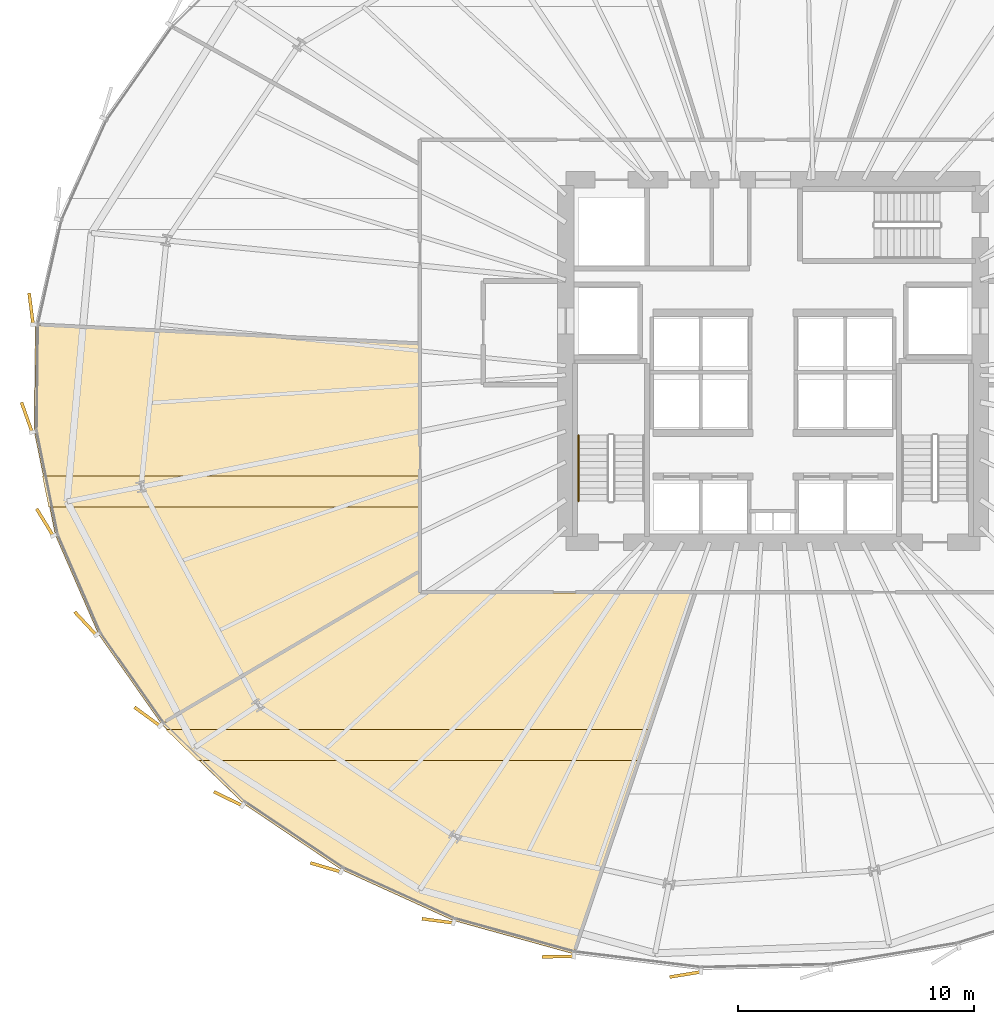
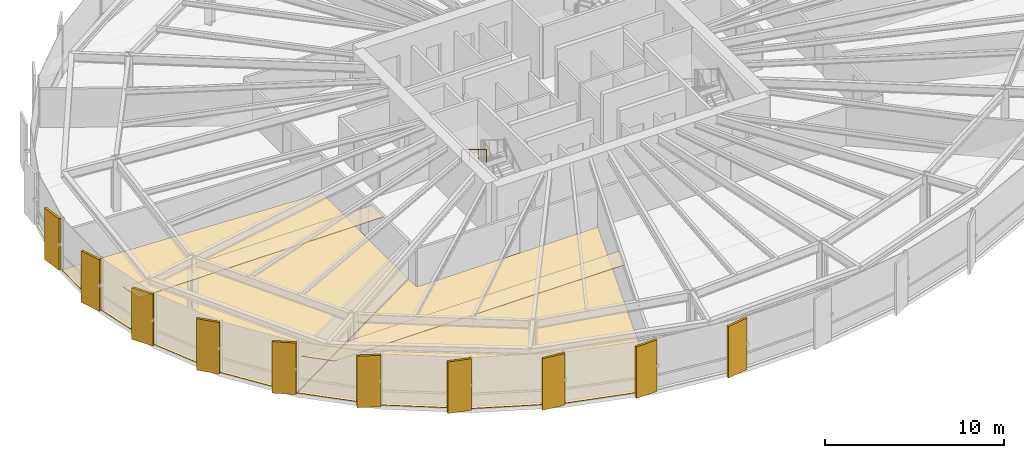
# One storey, part 34 of 38: 14 coverings, 1 railing.
"""IFC4 building model written with IfcOpenShell, lengths in metres."""

import ifcopenshell
import ifcopenshell.guid

model = None  # the IFC model being written
_history = None  # IfcOwnerHistory: only IFC2X3 demands one
_inside = {}  # id of a spatial element -> (the spatial element, [elements in it])
_under = {}  # id of a project, library or spatial element -> (it, [spatial elements below it])
_declared = {}  # id of a project -> (the project, [libraries it declares])
_typed = {}  # id of a type object -> (the type object, [elements of that type])
_made_of = {}  # id of a material, layer set ... -> (it, [elements and type objects made of it])


def new_model(schema):
    """Start an empty IFC model of exactly this schema.

    Asked for "IFC4X3", IfcOpenShell would pick the latest addendum, in which some entities
    have other attributes; the version numbers below select the first issue.
    IFC2X3 requires an IfcOwnerHistory on every rooted entity: one is made here for all.
    """
    global model, _history
    if schema == "IFC4X3":
        model = ifcopenshell.file(schema_version=(4, 3, 0, 0))
    else:
        model = ifcopenshell.file(schema=schema)
    _inside.clear()
    _under.clear()
    _declared.clear()
    _typed.clear()
    _made_of.clear()
    _history = None
    if model.schema == "IFC2X3":
        org = make("IfcOrganization", Name="unknown")
        user = make(
            "IfcPersonAndOrganization",
            ThePerson=make("IfcPerson", FamilyName="unknown"),
            TheOrganization=org,
        )
        app = make(
            "IfcApplication",
            ApplicationDeveloper=org,
            Version="unknown",
            ApplicationFullName="unknown",
            ApplicationIdentifier="unknown",
        )
        _history = make(
            "IfcOwnerHistory",
            OwningUser=user,
            OwningApplication=app,
            ChangeAction="ADDED",
            CreationDate=0,
        )
    return model


def make(cls, **values):
    """One entity of the class cls with the attributes given. An attribute that is None is left unset."""
    return model.create_entity(
        cls, **{name: value for name, value in values.items() if value is not None}
    )


def rooted(cls, **values):
    """An entity with a GlobalId (a new one), such as an element, a storey or a relation."""
    return make(cls, GlobalId=ifcopenshell.guid.new(), OwnerHistory=_history, **values)


def si_unit(unit_type, name, prefix=None):
    """IfcSIUnit, for example si_unit("LENGTHUNIT", "METRE", prefix="MILLI")."""
    return make("IfcSIUnit", UnitType=unit_type, Prefix=prefix, Name=name)


def assignment(units):
    """IfcUnitAssignment: the units of a project."""
    return None if units is None else make("IfcUnitAssignment", Units=units)


def point(xyz):
    """IfcCartesianPoint."""
    return None if xyz is None else make("IfcCartesianPoint", Coordinates=xyz)


def direction(xyz):
    """IfcDirection."""
    return None if xyz is None else make("IfcDirection", DirectionRatios=xyz)


def frame(location, z_axis=None, x_axis=None):
    """IfcAxis2Placement3D, a coordinate frame: its origin and axes. An axis left out is left unset."""
    return make(
        "IfcAxis2Placement3D",
        Location=point(location),
        Axis=direction(z_axis),
        RefDirection=direction(x_axis),
    )


def frame_2d(location, x_axis=None):
    """IfcAxis2Placement2D, a coordinate frame in the plane: its origin and x axis."""
    return make(
        "IfcAxis2Placement2D", Location=point(location), RefDirection=direction(x_axis)
    )


def origin():
    """The frame at (0, 0, 0) with its axes left unset."""
    return frame((0.0, 0.0, 0.0))


def origin_2d():
    """The frame at (0, 0) in the plane with its x axis left unset."""
    return frame_2d((0.0, 0.0))


def place(relative_to, where):
    """IfcLocalPlacement: puts the frame where relative to a parent placement (None: the world)."""
    return make(
        "IfcLocalPlacement", PlacementRelTo=relative_to, RelativePlacement=where
    )


def context(
    kind, dimensions, precision=None, world=None, true_north=None, identifier=None
):
    """IfcGeometricRepresentationContext, for example the 3D "Model" context."""
    return make(
        "IfcGeometricRepresentationContext",
        ContextIdentifier=identifier,
        ContextType=kind,
        CoordinateSpaceDimension=dimensions,
        Precision=precision,
        WorldCoordinateSystem=world,
        TrueNorth=true_north,
    )


def subcontext(parent, identifier, kind, view, scale=None):
    """IfcGeometricRepresentationSubContext, for example "Body" below "Model"."""
    return make(
        "IfcGeometricRepresentationSubContext",
        ContextIdentifier=identifier,
        ContextType=kind,
        ParentContext=parent,
        TargetScale=scale,
        TargetView=view,
    )


def project(units=None, contexts=None):
    """IfcProject with its units and contexts."""
    return rooted(
        "IfcProject",
        Name="project",
        RepresentationContexts=contexts,
        UnitsInContext=assignment(units),
    )


def spatial(cls, under=None, at=None, **own):
    """A site, building, storey or space (cls), placed at a placement, below another one or the project."""
    s = rooted(cls, ObjectPlacement=at, **own)
    if under is not None:
        _under.setdefault(under.id(), (under, []))[1].append(s)
    return s


def polyline(points):
    """IfcPolyline through the points."""
    return make("IfcPolyline", Points=[point(p) for p in points])


def profile(cls, at=None, kind="AREA", **sizes):
    """A parametric profile (cls). Its sizes go by their IFC names, for example OverallWidth=200.0."""
    return make(cls, ProfileType=kind, Position=at, **sizes)


def rectangle(**sizes):
    """IfcRectangleProfileDef."""
    return profile("IfcRectangleProfileDef", **sizes)


def circle(**sizes):
    """IfcCircleProfileDef."""
    return profile("IfcCircleProfileDef", **sizes)


def outline(outer, holes=None, kind="AREA"):
    """IfcArbitraryClosedProfileDef: a profile drawn as a closed curve; with holes, ...WithVoids."""
    if holes is None:
        return make("IfcArbitraryClosedProfileDef", ProfileType=kind, OuterCurve=outer)
    return make(
        "IfcArbitraryProfileDefWithVoids",
        ProfileType=kind,
        OuterCurve=outer,
        InnerCurves=holes,
    )


def extrude(swept, where, along, depth):
    """IfcExtrudedAreaSolid: the profile swept, set in the frame where, extruded along a direction by depth."""
    return make(
        "IfcExtrudedAreaSolid",
        SweptArea=swept,
        Position=where,
        ExtrudedDirection=direction(along),
        Depth=depth,
    )


def shape(context_of_items, identifier, shape_type, items):
    """IfcShapeRepresentation: the items that make up one representation, for example the "Body"."""
    return make(
        "IfcShapeRepresentation",
        ContextOfItems=context_of_items,
        RepresentationIdentifier=identifier,
        RepresentationType=shape_type,
        Items=items,
    )


def source(mapping_origin, context_of_items, identifier, shape_type, items):
    """IfcRepresentationMap: a shape defined once, which mapped items show again and again."""
    return make(
        "IfcRepresentationMap",
        MappingOrigin=mapping_origin,
        MappedRepresentation=shape(context_of_items, identifier, shape_type, items),
    )


def transform(
    local_origin,
    x_axis=None,
    y_axis=None,
    z_axis=None,
    scale=None,
    scale2=None,
    scale3=None,
    uniform=True,
):
    """IfcCartesianTransformationOperator3D, or its non-uniform kind. x_axis, y_axis, z_axis: its Axis1, 2, 3."""
    if uniform:
        return make(
            "IfcCartesianTransformationOperator3D",
            Axis1=direction(x_axis),
            Axis2=direction(y_axis),
            LocalOrigin=point(local_origin),
            Scale=scale,
            Axis3=direction(z_axis),
        )
    return make(
        "IfcCartesianTransformationOperator3DnonUniform",
        Axis1=direction(x_axis),
        Axis2=direction(y_axis),
        LocalOrigin=point(local_origin),
        Scale=scale,
        Axis3=direction(z_axis),
        Scale2=scale2,
        Scale3=scale3,
    )


def mapped(mapping_source, mapping_target):
    """IfcMappedItem: shows the shape of a source again, moved by a transform."""
    return make(
        "IfcMappedItem", MappingSource=mapping_source, MappingTarget=mapping_target
    )


def material(Name=None, Category=None):
    """IfcMaterial."""
    return make("IfcMaterial", Name=Name, Category=Category)


def layer(
    of_material, thickness, ventilated=None, Name=None, Category=None, Priority=None
):
    """IfcMaterialLayer: one layer of a wall or slab, of a material (None: an air gap)."""
    return make(
        "IfcMaterialLayer",
        Material=of_material,
        LayerThickness=thickness,
        IsVentilated=ventilated,
        Name=Name,
        Category=Category,
        Priority=Priority,
    )


def layer_set(layers, Name=None):
    """IfcMaterialLayerSet."""
    return make("IfcMaterialLayerSet", MaterialLayers=layers, LayerSetName=Name)


def made_of(thing, what):
    """Note that an element or type object is made of a material, layer set ...; save() writes the relation."""
    if what is not None:
        _made_of.setdefault(what.id(), (what, []))[1].append(thing)
    return thing


def type_object(cls, material=None, **own):
    """A type object (cls), such as IfcWallType, which elements share."""
    return made_of(rooted(cls, **own), material)


def element(
    cls,
    number,
    at=None,
    inside=None,
    cuts=None,
    type_object=None,
    material=None,
    context=None,
    identifier="Body",
    shape_type=None,
    held_by="IfcProductDefinitionShape",
    body=None,
    shapes=None,
    **own,
):
    """One element of the class cls, such as IfcWall. Its Tag is "e" and its number.

    at: its placement. inside: the storey or other place that contains it. cuts: it is an
    opening in that element (IfcRelVoidsElement). A single representation is given by context,
    identifier, shape_type and body (its items); several are given by shapes. held_by: the class
    of the entity that holds the representations. save() writes the other relations.
    """
    e = rooted(cls, Tag="e%d" % number, ObjectPlacement=at, **own)
    if body is not None:
        shapes = [shape(context, identifier, shape_type, body)]
    if shapes is not None:
        e.Representation = make(held_by, Representations=shapes)
    if inside is not None:
        _inside.setdefault(inside.id(), (inside, []))[1].append(e)
    if cuts is not None:
        rooted(
            "IfcRelVoidsElement", RelatingBuildingElement=cuts, RelatedOpeningElement=e
        )
    if type_object is not None:
        _typed.setdefault(type_object.id(), (type_object, []))[1].append(e)
    return made_of(e, material)


def aggregate(whole, parts):
    """IfcRelAggregates: a whole, such as a stair, and the parts it consists of."""
    return rooted("IfcRelAggregates", RelatingObject=whole, RelatedObjects=parts)


def save(model, path):
    """Write the relations noted so far, then the file.

    IfcRelAggregates (storeys below a building ...), IfcRelContainedInSpatialStructure (elements
    in a storey), IfcRelDefinesByType, IfcRelAssociatesMaterial and IfcRelDeclares: one each for
    every whole, place, type object, material and project.
    """
    for whole, parts in _under.values():
        aggregate(whole, parts)
    for where, things in _inside.values():
        rooted(
            "IfcRelContainedInSpatialStructure",
            RelatedElements=things,
            RelatingStructure=where,
        )
    for kind, things in _typed.values():
        rooted("IfcRelDefinesByType", RelatedObjects=things, RelatingType=kind)
    for what, things in _made_of.values():
        rooted("IfcRelAssociatesMaterial", RelatedObjects=things, RelatingMaterial=what)
    for by, libraries in _declared.values():
        rooted("IfcRelDeclares", RelatingContext=by, RelatedDefinitions=libraries)
    model.write(path)


model = new_model("IFC4")

# Units and contexts
model_context = context("Model", 3, precision=1e-05, world=origin(), true_north=direction((0.0, 1.0)))
body_context = subcontext(model_context, "Body", "Model", "MODEL_VIEW")
ifc_project = project(units=[si_unit("LENGTHUNIT", "METRE"), si_unit("AREAUNIT", "SQUARE_METRE"), si_unit("VOLUMEUNIT", "CUBIC_METRE"), si_unit("PLANEANGLEUNIT", "RADIAN"), si_unit("MASSUNIT", "GRAM", prefix="KILO"), si_unit("THERMODYNAMICTEMPERATUREUNIT", "KELVIN")], contexts=[model_context])

# Site, building, storey
site_placement = place(None, origin())
site = spatial("IfcSite", under=ifc_project, at=site_placement, CompositionType="ELEMENT")
building_placement = place(site_placement, origin())
building = spatial("IfcBuilding", under=site, at=building_placement, Name="Kethvar Cultural Tower", CompositionType="ELEMENT")
storey_placement = place(building_placement, frame((0.0, 0.0, 52.39990234375)))
storey = spatial("IfcBuildingStorey", under=building, at=storey_placement, Name="L12", CompositionType="ELEMENT", Elevation=52.39990234375)

# Coverings
ifc_material_1 = material(Name="Acoustic Mineral Fibre Ceiling")
ifc_layer_1 = layer(ifc_material_1, 0.0400390625, Name="Acoustic Mineral Fibre Ceiling")
ifc_layer_set_1 = layer_set([ifc_layer_1], Name="Acoustic Mineral Fibre Ceiling (40 mm)")
covering_type_1 = type_object("IfcCoveringType", Name="CV-ACOUSTIC-CEIL", PredefinedType="CEILING", material=ifc_layer_set_1)
covering_1_placement = place(storey_placement, frame((0.0, 0.0, 2.56005859375)))
element("IfcCovering", 1, at=covering_1_placement, inside=storey, type_object=covering_type_1, Name="L12 Room 01 Acoustic Ceiling Panel", PredefinedType="CEILING", context=body_context, shape_type="SweptSolid", body=[
    extrude(outline(polyline([(21.027587890625, 12.146484375), (41.5712890625, 12.146484375), (41.1318359375, 10.836669921875), (22.37939453125, 10.836669921875), (21.027587890625, 12.146484375)])), origin(), (0.0, 0.0, 1.0), 0.0400390625),
])
covering_2_placement = place(storey_placement, frame((0.0, 0.0, 2.56005859375)))
element("IfcCovering", 2, at=covering_2_placement, inside=storey, type_object=covering_type_1, Name="L12 Room 10 Acoustic Ceiling Panel", PredefinedType="CEILING", context=body_context, shape_type="SweptSolid", body=[
    extrude(outline(polyline([(15.778076171875, 22.922119140625), (31.830078125, 22.922119140625), (31.830078125, 21.6123046875), (16.04443359375, 21.6123046875), (15.778076171875, 22.922119140625)])), origin(), (0.0, 0.0, 1.0), 0.0400390625),
])
ifc_material_2 = material(Name="Architectural Oak Timber", Category="wood")
ifc_layer_2 = layer(ifc_material_2, 0.02490234375, Name="Architectural Oak Timber", Category="wood")
ifc_layer_set_2 = layer_set([ifc_layer_2], Name="Architectural Oak Timber (25 mm)")
covering_type_2 = type_object("IfcCoveringType", Name="CV-OAK-FLOOR", PredefinedType="FLOORING", material=ifc_layer_set_2)
covering_3_placement = place(storey_placement, origin())
element("IfcCovering", 3, at=covering_3_placement, inside=storey, type_object=covering_type_2, Name="L12 Room 01 Floor Finish", PredefinedType="FLOORING", context=body_context, shape_type="SweptSolid", body=[
    extrude(outline(polyline([(33.218505859375, 4.050048828125), (28.49609375, 6.19775390625), (24.330078125, 9.001953125), (20.864501953125, 12.360107421875), (31.7900390625, 18.8544921875), (31.80810546875, 17.960205078125), (43.478759765625, 17.9599609375), (38.3369140625, 2.628662109375), (33.218505859375, 4.050048828125)])), origin(), (0.0, 0.0, 1.0), 0.025146484375),
])
covering_4_placement = place(storey_placement, origin())
element("IfcCovering", 4, at=covering_4_placement, inside=storey, type_object=covering_type_2, Name="L12 Room 10 Floor Finish", PredefinedType="FLOORING", context=body_context, shape_type="SweptSolid", body=[
    extrude(outline(polyline([(18.152587890625, 16.220458984375), (16.32861328125, 20.415283203125), (15.43017578125, 24.834716796875), (15.484375, 29.3251953125), (31.7900390625, 28.520751953125), (31.7900390625, 18.901123046875), (20.83740234375, 12.390625), (18.152587890625, 16.220458984375)])), origin(), (0.0, 0.0, 1.0), 0.025146484375),
])

# Railing
ifc_material_3 = material(Name="Steel S355J2", Category="steel")
railing_type = type_object("IfcRailingType", Name="RL-STAIR-HANDRAIL", PredefinedType="HANDRAIL", material=ifc_material_3)
railing_placement = place(storey_placement, frame((38.5400390625, 24.64990234375, 2.07275390625)))
element("IfcRailing", 5, at=railing_placement, inside=storey, type_object=railing_type, Name="L12 ST-01 stair handrail 2", PredefinedType="HANDRAIL", context=body_context, shape_type="SweptSolid", body=[
    extrude(circle(Radius=0.02392578125, at=origin_2d()), frame((0.0, 0.0, 0.8759765625), z_axis=(0.0, -0.851069175582, 0.525053576669), x_axis=(1.0, 0.0, 0.0)), (0.0, 0.0, 1.0), 3.289794921875),
    extrude(circle(Radius=0.02099609375, at=origin_2d()), origin(), (0.0, 0.0, 1.0), 0.851806640625),
    extrude(circle(Radius=0.02099609375, at=origin_2d()), frame((0.0, -0.933349609375, 0.57568359375)), (0.0, 0.0, 1.0), 0.851806640625),
    extrude(circle(Radius=0.02099609375, at=origin_2d()), frame((0.0, -1.866455078125, 1.151611328125)), (0.0, 0.0, 1.0), 0.851806640625),
    extrude(circle(Radius=0.02099609375, at=origin_2d()), frame((0.0, -2.7998046875, 1.727294921875)), (0.0, 0.0, 1.0), 0.851806640625),
])

# Coverings
ifc_material_4 = material(Name="Extruded Architectural Terracotta", Category="masonry")
ifc_layer_3 = layer(ifc_material_4, 0.135009765625, Name="Extruded Architectural Terracotta", Category="masonry")
ifc_layer_set_3 = layer_set([ifc_layer_3], Name="Extruded Architectural Terracotta (135 mm)")
covering_type_3 = type_object("IfcCoveringType", Name="Terracotta Facade Fin FIN-01", PredefinedType="CLADDING", material=ifc_layer_set_3)
shared_shape = source(origin(), body_context, "Body", "SweptSolid", [
    extrude(rectangle(XDim=1.35009765625, YDim=0.135009765625, at=origin_2d()), origin(), (0.0, 0.0, 1.0), 3.510009765625),
])
for number, where, z_axis, x_axis, name in (
    (6, (15.298583984375, 30.016845703125, 0.02001953125), (0.0, 0.0, 1.0), (-0.127237724904, 0.991872250525, 0.0), "L12 Vertical Terracotta Fin 3.6"),
    (7, (15.114990234375, 25.411865234375, 0.02001953125), (0.0, 0.0, 1.0), (-0.333642332174, 0.942699737022, 0.0), "L12 Vertical Terracotta Fin 4.1"),
    (8, (15.88330078125, 20.953125, 0.02001953125), (0.0, 0.0, 1.0), (-0.522498564716, 0.852640164354, 0.0), "L12 Vertical Terracotta Fin 4.2"),
    (9, (17.60888671875, 16.658203125, 0.02001953125), (0.0, 0.0, 1.0), (-0.682381202461, 0.730996507877, 0.0), "L12 Vertical Terracotta Fin 4.3"),
    (10, (20.230712890625, 12.704345703125, 0.02001953125), (0.0, 0.0, 1.0), (-0.807989883898, 0.589196357353, 0.0), "L12 Vertical Terracotta Fin 4.4"),
    (11, (23.665771484375, 9.215087890625, 0.02001953125), (0.0, 0.0, 1.0), (-0.899252614588, 0.437429691673, 0.0), "L12 Vertical Terracotta Fin 4.5"),
    (12, (27.805908203125, 6.298583984375, 0.02001953125), (0.0, 0.0, 1.0), (-0.959017781309, 0.283345893093, 0.0), "L12 Vertical Terracotta Fin 4.6"),
    (13, (32.561767578125, 4.031005859375, 0.02001953125), (0.0, 0.0, 1.0), (-0.991399238736, 0.130872263805, 0.0), "L12 Vertical Terracotta Fin 5.1"),
    (14, (37.665283203125, 2.51318359375, 0.02001953125), (0.0, 0.0, 1.0), (-0.999844633908, -0.017626912514, 0.0), "L12 Vertical Terracotta Fin 5.2"),
    (15, (43.080322265625, 1.75390625, 0.02001953125), (0.0, 0.0, 1.0), (-0.986855716407, -0.161603821103, 0.0), "L12 Vertical Terracotta Fin 5.3"),
):
    element("IfcCovering", number, at=place(storey_placement, frame(where, z_axis=z_axis, x_axis=x_axis)), inside=storey, type_object=covering_type_3, Name=name, PredefinedType="CLADDING", context=body_context, shape_type="MappedRepresentation", body=[
        mapped(shared_shape, transform((0.0, 0.0, 0.0), scale=1.0)),
    ])

save(model, "model.ifc")
